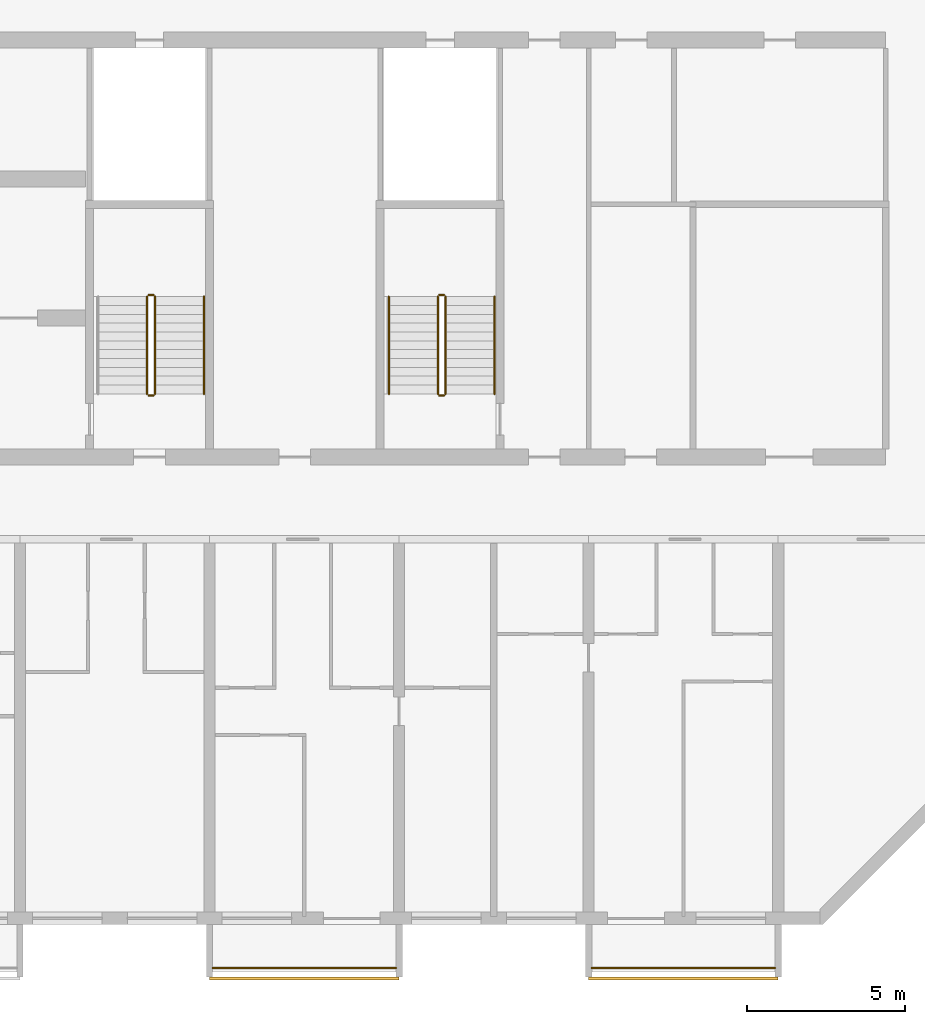
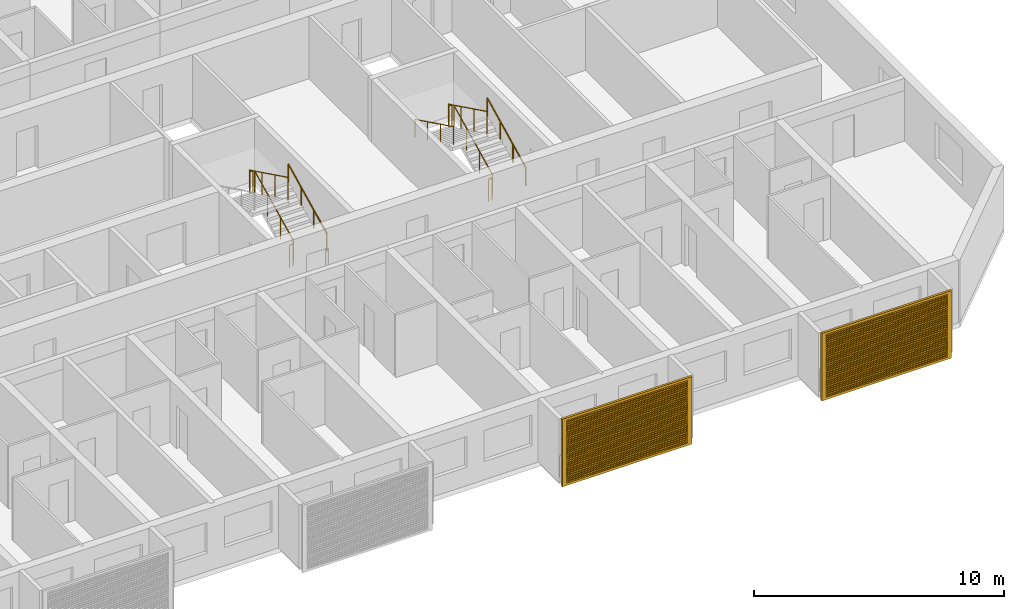
# One storey, part 24 of 26: 13 railings, 2 shading devices.
"""IFC4 building model written with IfcOpenShell, lengths in metres."""

from ifc_helpers import new_model, si_unit, direction, frame, origin, origin_2d, place, context, subcontext, project, spatial, polyline, circle, outline, extrude, source, transform, mapped, material, material_profile, profile_set, type_object, element, save


model = new_model("IFC4")

# Units and contexts
model_context = context("Model", 3, precision=1e-05, world=origin(), true_north=direction((0.0, 1.0)))
body_context = subcontext(model_context, "Body", "Model", "MODEL_VIEW")
ifc_project = project(units=[si_unit("LENGTHUNIT", "METRE"), si_unit("AREAUNIT", "SQUARE_METRE"), si_unit("VOLUMEUNIT", "CUBIC_METRE"), si_unit("PLANEANGLEUNIT", "RADIAN"), si_unit("MASSUNIT", "GRAM", prefix="KILO")], contexts=[model_context])

# Site, building, storey
site_placement = place(None, origin())
site = spatial("IfcSite", under=ifc_project, at=site_placement, CompositionType="ELEMENT")
building_placement = place(site_placement, origin())
building = spatial("IfcBuilding", under=site, at=building_placement, Name="Poui Terraces", CompositionType="ELEMENT")
storey_placement = place(building_placement, frame((0.0, 0.0, 79.5)))
storey = spatial("IfcBuildingStorey", under=building, at=storey_placement, Name="L21", CompositionType="ELEMENT", Elevation=79.5)

# Railings
ifc_material_1 = material(Name="Painted steel fretwork", Category="steel")
railing_type_1 = type_object("IfcRailingType", Name="BALCONY GUARD 1100", PredefinedType="GUARDRAIL", material=ifc_material_1)
for number, where, name in (
    (1, (72.10009765625, -1.570068359375, 0.0), "BALCONY GUARD"),
    (2, (84.10009765625, -1.570068359375, 0.0), "BALCONY GUARD"),
):
    element("IfcRailing", number, at=place(storey_placement, frame(where)), inside=storey, type_object=railing_type_1, Name=name, PredefinedType="GUARDRAIL", context=body_context, shape_type="SweptSolid", body=[
        extrude(circle(Radius=0.02392578125, at=origin_2d()), frame((0.0, 0.0, 1.076171875), z_axis=(1.0, 0.0, 0.0), x_axis=(0.0, 1.0, 0.0)), (0.0, 0.0, 1.0), 5.7998046875),
        extrude(circle(Radius=0.02099609375, at=origin_2d()), origin(), (0.0, 0.0, 1.0), 1.052001953125),
        extrude(circle(Radius=0.02099609375, at=origin_2d()), frame((0.966552734375, 0.0, 0.0)), (0.0, 0.0, 1.0), 1.052001953125),
        extrude(circle(Radius=0.02099609375, at=origin_2d()), frame((1.933349609375, 0.0, 0.0)), (0.0, 0.0, 1.0), 1.052001953125),
        extrude(circle(Radius=0.02099609375, at=origin_2d()), frame((2.89990234375, 0.0, 0.0)), (0.0, 0.0, 1.0), 1.052001953125),
        extrude(circle(Radius=0.02099609375, at=origin_2d()), frame((3.866455078125, 0.0, 0.0)), (0.0, 0.0, 1.0), 1.052001953125),
        extrude(circle(Radius=0.02099609375, at=origin_2d()), frame((4.833251953125, 0.0, 0.0)), (0.0, 0.0, 1.0), 1.052001953125),
        extrude(circle(Radius=0.02099609375, at=origin_2d()), frame((5.7998046875, 0.0, 0.0)), (0.0, 0.0, 1.0), 1.052001953125),
    ])
ifc_material_2 = material(Name="Galvanised steel balustrade", Category="steel")
railing_type_2 = type_object("IfcRailingType", Name="STAIR GUARD 1100", PredefinedType="GUARDRAIL", material=ifc_material_2)
railing_1_placement = place(storey_placement, frame((70.27490234375, 16.60009765625, 0.137451171875)))
element("IfcRailing", 3, at=railing_1_placement, inside=storey, type_object=railing_type_2, Name="L21 ST-CE stair guard 1", PredefinedType="GUARDRAIL", context=body_context, shape_type="SweptSolid", body=[
    extrude(circle(Radius=0.02392578125, at=origin_2d()), frame((0.0, 0.0, 1.076171875), z_axis=(0.0, 0.897606190399, 0.440798283751), x_axis=(-1.0, 0.0, 0.0)), (0.0, 0.0, 1.0), 3.43115234375),
    extrude(circle(Radius=0.02099609375, at=origin_2d()), origin(), (0.0, 0.0, 1.0), 1.052001953125),
    extrude(circle(Radius=0.02099609375, at=origin_2d()), frame((0.0, 1.026611328125, 0.504150390625)), (0.0, 0.0, 1.0), 1.052001953125),
    extrude(circle(Radius=0.02099609375, at=origin_2d()), frame((0.0, 2.05322265625, 1.00830078125)), (0.0, 0.0, 1.0), 1.052001953125),
    extrude(circle(Radius=0.02099609375, at=origin_2d()), frame((0.0, 3.079833984375, 1.512451171875)), (0.0, 0.0, 1.0), 1.052001953125),
])
railing_2_placement = place(storey_placement, frame((70.22509765625, 19.72998046875, 1.64990234375)))
element("IfcRailing", 4, at=railing_2_placement, inside=storey, type_object=railing_type_2, Name="L21 ST-CE stair guard 2", PredefinedType="GUARDRAIL", context=body_context, shape_type="SweptSolid", body=[
    extrude(circle(Radius=0.02392578125, at=origin_2d()), frame((0.0, 0.0, 1.076171875), z_axis=(-1.0, 0.0, 0.0), x_axis=(0.0, -1.0, 0.0)), (0.0, 0.0, 1.0), 0.150146484375),
    extrude(circle(Radius=0.02099609375, at=origin_2d()), origin(), (0.0, 0.0, 1.0), 1.052001953125),
    extrude(circle(Radius=0.02099609375, at=origin_2d()), frame((-0.150146484375, 0.0, 0.0)), (0.0, 0.0, 1.0), 1.052001953125),
])
railing_3_placement = place(storey_placement, frame((70.02490234375, 19.679931640625, 1.78759765625)))
element("IfcRailing", 5, at=railing_3_placement, inside=storey, type_object=railing_type_2, Name="L21 ST-CE stair guard 3", PredefinedType="GUARDRAIL", context=body_context, shape_type="SweptSolid", body=[
    extrude(circle(Radius=0.02392578125, at=origin_2d()), frame((0.0, 0.0, 1.076171875), z_axis=(0.0, -0.897606190399, 0.440798283751), x_axis=(1.0, 0.0, 0.0)), (0.0, 0.0, 1.0), 3.43115234375),
    extrude(circle(Radius=0.02099609375, at=origin_2d()), origin(), (0.0, 0.0, 1.0), 1.052001953125),
    extrude(circle(Radius=0.02099609375, at=origin_2d()), frame((0.0, -1.026611328125, 0.504150390625)), (0.0, 0.0, 1.0), 1.052001953125),
    extrude(circle(Radius=0.02099609375, at=origin_2d()), frame((0.0, -2.05322265625, 1.00830078125)), (0.0, 0.0, 1.0), 1.052001953125),
    extrude(circle(Radius=0.02099609375, at=origin_2d()), frame((0.0, -3.079833984375, 1.512451171875)), (0.0, 0.0, 1.0), 1.052001953125),
])
railing_4_placement = place(storey_placement, frame((70.22509765625, 16.550048828125, 0.0)))
element("IfcRailing", 6, at=railing_4_placement, inside=storey, type_object=railing_type_2, Name="L21 ST-CE stair guard 4", PredefinedType="GUARDRAIL", context=body_context, shape_type="SweptSolid", body=[
    extrude(circle(Radius=0.02392578125, at=origin_2d()), frame((0.0, 0.0, 1.076171875), z_axis=(-1.0, 0.0, 0.0), x_axis=(0.0, -1.0, 0.0)), (0.0, 0.0, 1.0), 0.150146484375),
    extrude(circle(Radius=0.02099609375, at=origin_2d()), origin(), (0.0, 0.0, 1.0), 1.052001953125),
    extrude(circle(Radius=0.02099609375, at=origin_2d()), frame((-0.150146484375, 0.0, 0.0)), (0.0, 0.0, 1.0), 1.052001953125),
])
railing_5_placement = place(storey_placement, frame((79.47509765625, 16.60009765625, 0.137451171875)))
element("IfcRailing", 7, at=railing_5_placement, inside=storey, type_object=railing_type_2, Name="L21 ST-E stair guard 1", PredefinedType="GUARDRAIL", context=body_context, shape_type="SweptSolid", body=[
    extrude(circle(Radius=0.02392578125, at=origin_2d()), frame((0.0, 0.0, 1.076171875), z_axis=(0.0, 0.897606190399, 0.440798283751), x_axis=(-1.0, 0.0, 0.0)), (0.0, 0.0, 1.0), 3.43115234375),
    extrude(circle(Radius=0.02099609375, at=origin_2d()), origin(), (0.0, 0.0, 1.0), 1.052001953125),
    extrude(circle(Radius=0.02099609375, at=origin_2d()), frame((0.0, 1.026611328125, 0.504150390625)), (0.0, 0.0, 1.0), 1.052001953125),
    extrude(circle(Radius=0.02099609375, at=origin_2d()), frame((0.0, 2.05322265625, 1.00830078125)), (0.0, 0.0, 1.0), 1.052001953125),
    extrude(circle(Radius=0.02099609375, at=origin_2d()), frame((0.0, 3.079833984375, 1.512451171875)), (0.0, 0.0, 1.0), 1.052001953125),
])
railing_6_placement = place(storey_placement, frame((79.425048828125, 19.72998046875, 1.64990234375)))
element("IfcRailing", 8, at=railing_6_placement, inside=storey, type_object=railing_type_2, Name="L21 ST-E stair guard 2", PredefinedType="GUARDRAIL", context=body_context, shape_type="SweptSolid", body=[
    extrude(circle(Radius=0.02392578125, at=origin_2d()), frame((0.0, 0.0, 1.076171875), z_axis=(-1.0, 0.0, 0.0), x_axis=(0.0, -1.0, 0.0)), (0.0, 0.0, 1.0), 0.150146484375),
    extrude(circle(Radius=0.02099609375, at=origin_2d()), origin(), (0.0, 0.0, 1.0), 1.052001953125),
    extrude(circle(Radius=0.02099609375, at=origin_2d()), frame((-0.150146484375, 0.0, 0.0)), (0.0, 0.0, 1.0), 1.052001953125),
])
railing_7_placement = place(storey_placement, frame((79.22509765625, 19.679931640625, 1.78759765625)))
element("IfcRailing", 9, at=railing_7_placement, inside=storey, type_object=railing_type_2, Name="L21 ST-E stair guard 3", PredefinedType="GUARDRAIL", context=body_context, shape_type="SweptSolid", body=[
    extrude(circle(Radius=0.02392578125, at=origin_2d()), frame((0.0, 0.0, 1.076171875), z_axis=(0.0, -0.897606190399, 0.440798283751), x_axis=(1.0, 0.0, 0.0)), (0.0, 0.0, 1.0), 3.43115234375),
    extrude(circle(Radius=0.02099609375, at=origin_2d()), origin(), (0.0, 0.0, 1.0), 1.052001953125),
    extrude(circle(Radius=0.02099609375, at=origin_2d()), frame((0.0, -1.026611328125, 0.504150390625)), (0.0, 0.0, 1.0), 1.052001953125),
    extrude(circle(Radius=0.02099609375, at=origin_2d()), frame((0.0, -2.05322265625, 1.00830078125)), (0.0, 0.0, 1.0), 1.052001953125),
    extrude(circle(Radius=0.02099609375, at=origin_2d()), frame((0.0, -3.079833984375, 1.512451171875)), (0.0, 0.0, 1.0), 1.052001953125),
])
railing_8_placement = place(storey_placement, frame((79.425048828125, 16.550048828125, 0.0)))
element("IfcRailing", 10, at=railing_8_placement, inside=storey, type_object=railing_type_2, Name="L21 ST-E stair guard 4", PredefinedType="GUARDRAIL", context=body_context, shape_type="SweptSolid", body=[
    extrude(circle(Radius=0.02392578125, at=origin_2d()), frame((0.0, 0.0, 1.076171875), z_axis=(-1.0, 0.0, 0.0), x_axis=(0.0, -1.0, 0.0)), (0.0, 0.0, 1.0), 0.150146484375),
    extrude(circle(Radius=0.02099609375, at=origin_2d()), origin(), (0.0, 0.0, 1.0), 1.052001953125),
    extrude(circle(Radius=0.02099609375, at=origin_2d()), frame((-0.150146484375, 0.0, 0.0)), (0.0, 0.0, 1.0), 1.052001953125),
])
ifc_material_3 = material(Name="Stainless steel handrail", Category="steel")
railing_type_3 = type_object("IfcRailingType", Name="STAIR HANDRAIL 900", PredefinedType="HANDRAIL", material=ifc_material_3)
for number, where, name in (
    (11, (71.824951171875, 16.60009765625, 0.137451171875), "L21 ST-CE stair handrail 1"),
    (12, (81.02490234375, 16.60009765625, 0.137451171875), "L21 ST-E stair handrail 1"),
):
    element("IfcRailing", number, at=place(storey_placement, frame(where)), inside=storey, type_object=railing_type_3, Name=name, PredefinedType="HANDRAIL", context=body_context, shape_type="SweptSolid", body=[
        extrude(circle(Radius=0.02392578125, at=origin_2d()), frame((0.0, 0.0, 0.8759765625), z_axis=(0.0, 0.897606190399, 0.440798283751), x_axis=(-1.0, 0.0, 0.0)), (0.0, 0.0, 1.0), 3.43115234375),
        extrude(circle(Radius=0.02099609375, at=origin_2d()), origin(), (0.0, 0.0, 1.0), 0.851806640625),
        extrude(circle(Radius=0.02099609375, at=origin_2d()), frame((0.0, 1.026611328125, 0.504150390625)), (0.0, 0.0, 1.0), 0.851806640625),
        extrude(circle(Radius=0.02099609375, at=origin_2d()), frame((0.0, 2.05322265625, 1.00830078125)), (0.0, 0.0, 1.0), 0.851806640625),
        extrude(circle(Radius=0.02099609375, at=origin_2d()), frame((0.0, 3.079833984375, 1.512451171875)), (0.0, 0.0, 1.0), 0.851806640625),
    ])
railing_9_placement = place(storey_placement, frame((77.675048828125, 19.679931640625, 1.78759765625)))
element("IfcRailing", 13, at=railing_9_placement, inside=storey, type_object=railing_type_3, Name="L21 ST-E stair handrail 2", PredefinedType="HANDRAIL", context=body_context, shape_type="SweptSolid", body=[
    extrude(circle(Radius=0.02392578125, at=origin_2d()), frame((0.0, 0.0, 0.8759765625), z_axis=(0.0, -0.897606190399, 0.440798283751), x_axis=(1.0, 0.0, 0.0)), (0.0, 0.0, 1.0), 3.43115234375),
    extrude(circle(Radius=0.02099609375, at=origin_2d()), origin(), (0.0, 0.0, 1.0), 0.851806640625),
    extrude(circle(Radius=0.02099609375, at=origin_2d()), frame((0.0, -1.026611328125, 0.504150390625)), (0.0, 0.0, 1.0), 0.851806640625),
    extrude(circle(Radius=0.02099609375, at=origin_2d()), frame((0.0, -2.05322265625, 1.00830078125)), (0.0, 0.0, 1.0), 0.851806640625),
    extrude(circle(Radius=0.02099609375, at=origin_2d()), frame((0.0, -3.079833984375, 1.512451171875)), (0.0, 0.0, 1.0), 0.851806640625),
])

# Shading devices
ifc_material_4 = material(Name="Aluminium louvre", Category="aluminium")
ifc_material_profile = material_profile(ifc_material_4, outline(polyline([(-3.0, -1.64990234375), (3.0, -1.64990234375), (3.0, 1.64990234375), (-3.0, 1.64990234375), (-3.0, -1.64990234375)]), holes=[polyline([(-2.800048828125, -1.530029296875), (2.800048828125, -1.530029296875), (2.800048828125, -1.469970703125), (-2.800048828125, -1.469970703125), (-2.800048828125, -1.530029296875)]), polyline([(-2.800048828125, -1.429931640625), (2.800048828125, -1.429931640625), (2.800048828125, -1.3701171875), (-2.800048828125, -1.3701171875), (-2.800048828125, -1.429931640625)]), polyline([(-2.800048828125, -1.330078125), (2.800048828125, -1.330078125), (2.800048828125, -1.27001953125), (-2.800048828125, -1.27001953125), (-2.800048828125, -1.330078125)]), polyline([(-2.800048828125, -1.22998046875), (2.800048828125, -1.22998046875), (2.800048828125, -1.169921875), (-2.800048828125, -1.169921875), (-2.800048828125, -1.22998046875)]), polyline([(-2.800048828125, -1.1298828125), (2.800048828125, -1.1298828125), (2.800048828125, -1.070068359375), (-2.800048828125, -1.070068359375), (-2.800048828125, -1.1298828125)]), polyline([(-2.800048828125, -1.030029296875), (2.800048828125, -1.030029296875), (2.800048828125, -0.969970703125), (-2.800048828125, -0.969970703125), (-2.800048828125, -1.030029296875)]), polyline([(-2.800048828125, -0.929931640625), (2.800048828125, -0.929931640625), (2.800048828125, -0.8701171875), (-2.800048828125, -0.8701171875), (-2.800048828125, -0.929931640625)]), polyline([(-2.800048828125, -0.830078125), (2.800048828125, -0.830078125), (2.800048828125, -0.77001953125), (-2.800048828125, -0.77001953125), (-2.800048828125, -0.830078125)]), polyline([(-2.800048828125, -0.72998046875), (2.800048828125, -0.72998046875), (2.800048828125, -0.669921875), (-2.800048828125, -0.669921875), (-2.800048828125, -0.72998046875)]), polyline([(-2.800048828125, -0.6298828125), (2.800048828125, -0.6298828125), (2.800048828125, -0.570068359375), (-2.800048828125, -0.570068359375), (-2.800048828125, -0.6298828125)]), polyline([(-2.800048828125, -0.530029296875), (2.800048828125, -0.530029296875), (2.800048828125, -0.469970703125), (-2.800048828125, -0.469970703125), (-2.800048828125, -0.530029296875)]), polyline([(-2.800048828125, -0.429931640625), (2.800048828125, -0.429931640625), (2.800048828125, -0.3701171875), (-2.800048828125, -0.3701171875), (-2.800048828125, -0.429931640625)]), polyline([(-2.800048828125, -0.330078125), (2.800048828125, -0.330078125), (2.800048828125, -0.27001953125), (-2.800048828125, -0.27001953125), (-2.800048828125, -0.330078125)]), polyline([(-2.800048828125, -0.22998046875), (2.800048828125, -0.22998046875), (2.800048828125, -0.169921875), (-2.800048828125, -0.169921875), (-2.800048828125, -0.22998046875)]), polyline([(-2.800048828125, -0.1298828125), (2.800048828125, -0.1298828125), (2.800048828125, -0.070068359375), (-2.800048828125, -0.070068359375), (-2.800048828125, -0.1298828125)]), polyline([(-2.800048828125, -0.030029296875), (2.800048828125, -0.030029296875), (2.800048828125, 0.030029296875), (-2.800048828125, 0.030029296875), (-2.800048828125, -0.030029296875)]), polyline([(-2.800048828125, 0.070068359375), (2.800048828125, 0.070068359375), (2.800048828125, 0.1298828125), (-2.800048828125, 0.1298828125), (-2.800048828125, 0.070068359375)]), polyline([(-2.800048828125, 0.169921875), (2.800048828125, 0.169921875), (2.800048828125, 0.22998046875), (-2.800048828125, 0.22998046875), (-2.800048828125, 0.169921875)]), polyline([(-2.800048828125, 0.27001953125), (2.800048828125, 0.27001953125), (2.800048828125, 0.330078125), (-2.800048828125, 0.330078125), (-2.800048828125, 0.27001953125)]), polyline([(-2.800048828125, 0.3701171875), (2.800048828125, 0.3701171875), (2.800048828125, 0.429931640625), (-2.800048828125, 0.429931640625), (-2.800048828125, 0.3701171875)]), polyline([(-2.800048828125, 0.469970703125), (2.800048828125, 0.469970703125), (2.800048828125, 0.530029296875), (-2.800048828125, 0.530029296875), (-2.800048828125, 0.469970703125)]), polyline([(-2.800048828125, 0.570068359375), (2.800048828125, 0.570068359375), (2.800048828125, 0.6298828125), (-2.800048828125, 0.6298828125), (-2.800048828125, 0.570068359375)]), polyline([(-2.800048828125, 0.669921875), (2.800048828125, 0.669921875), (2.800048828125, 0.72998046875), (-2.800048828125, 0.72998046875), (-2.800048828125, 0.669921875)]), polyline([(-2.800048828125, 0.77001953125), (2.800048828125, 0.77001953125), (2.800048828125, 0.830078125), (-2.800048828125, 0.830078125), (-2.800048828125, 0.77001953125)]), polyline([(-2.800048828125, 0.8701171875), (2.800048828125, 0.8701171875), (2.800048828125, 0.929931640625), (-2.800048828125, 0.929931640625), (-2.800048828125, 0.8701171875)]), polyline([(-2.800048828125, 0.969970703125), (2.800048828125, 0.969970703125), (2.800048828125, 1.030029296875), (-2.800048828125, 1.030029296875), (-2.800048828125, 0.969970703125)]), polyline([(-2.800048828125, 1.070068359375), (2.800048828125, 1.070068359375), (2.800048828125, 1.1298828125), (-2.800048828125, 1.1298828125), (-2.800048828125, 1.070068359375)]), polyline([(-2.800048828125, 1.169921875), (2.800048828125, 1.169921875), (2.800048828125, 1.22998046875), (-2.800048828125, 1.22998046875), (-2.800048828125, 1.169921875)]), polyline([(-2.800048828125, 1.27001953125), (2.800048828125, 1.27001953125), (2.800048828125, 1.330078125), (-2.800048828125, 1.330078125), (-2.800048828125, 1.27001953125)]), polyline([(-2.800048828125, 1.3701171875), (2.800048828125, 1.3701171875), (2.800048828125, 1.429931640625), (-2.800048828125, 1.429931640625), (-2.800048828125, 1.3701171875)]), polyline([(-2.800048828125, 1.469970703125), (2.800048828125, 1.469970703125), (2.800048828125, 1.530029296875), (-2.800048828125, 1.530029296875), (-2.800048828125, 1.469970703125)])]), Name="JALOUSIE LOUVRE SHUTTER 6000X3300")
ifc_profile_set = profile_set([ifc_material_profile], Name="Aluminium louvre")
shading_device_type = type_object("IfcShadingDeviceType", Name="JALOUSIE LOUVRE SHUTTER 6000X3300", PredefinedType="JALOUSIE", material=ifc_profile_set)
shared_shape = source(origin(), body_context, "Body", "SweptSolid", [
    extrude(outline(polyline([(-3.0, -1.64990234375), (3.0, -1.64990234375), (3.0, 1.64990234375), (-3.0, 1.64990234375), (-3.0, -1.64990234375)]), holes=[polyline([(-2.800048828125, -1.530029296875), (2.800048828125, -1.530029296875), (2.800048828125, -1.469970703125), (-2.800048828125, -1.469970703125), (-2.800048828125, -1.530029296875)]), polyline([(-2.800048828125, -1.429931640625), (2.800048828125, -1.429931640625), (2.800048828125, -1.3701171875), (-2.800048828125, -1.3701171875), (-2.800048828125, -1.429931640625)]), polyline([(-2.800048828125, -1.330078125), (2.800048828125, -1.330078125), (2.800048828125, -1.27001953125), (-2.800048828125, -1.27001953125), (-2.800048828125, -1.330078125)]), polyline([(-2.800048828125, -1.22998046875), (2.800048828125, -1.22998046875), (2.800048828125, -1.169921875), (-2.800048828125, -1.169921875), (-2.800048828125, -1.22998046875)]), polyline([(-2.800048828125, -1.1298828125), (2.800048828125, -1.1298828125), (2.800048828125, -1.070068359375), (-2.800048828125, -1.070068359375), (-2.800048828125, -1.1298828125)]), polyline([(-2.800048828125, -1.030029296875), (2.800048828125, -1.030029296875), (2.800048828125, -0.969970703125), (-2.800048828125, -0.969970703125), (-2.800048828125, -1.030029296875)]), polyline([(-2.800048828125, -0.929931640625), (2.800048828125, -0.929931640625), (2.800048828125, -0.8701171875), (-2.800048828125, -0.8701171875), (-2.800048828125, -0.929931640625)]), polyline([(-2.800048828125, -0.830078125), (2.800048828125, -0.830078125), (2.800048828125, -0.77001953125), (-2.800048828125, -0.77001953125), (-2.800048828125, -0.830078125)]), polyline([(-2.800048828125, -0.72998046875), (2.800048828125, -0.72998046875), (2.800048828125, -0.669921875), (-2.800048828125, -0.669921875), (-2.800048828125, -0.72998046875)]), polyline([(-2.800048828125, -0.6298828125), (2.800048828125, -0.6298828125), (2.800048828125, -0.570068359375), (-2.800048828125, -0.570068359375), (-2.800048828125, -0.6298828125)]), polyline([(-2.800048828125, -0.530029296875), (2.800048828125, -0.530029296875), (2.800048828125, -0.469970703125), (-2.800048828125, -0.469970703125), (-2.800048828125, -0.530029296875)]), polyline([(-2.800048828125, -0.429931640625), (2.800048828125, -0.429931640625), (2.800048828125, -0.3701171875), (-2.800048828125, -0.3701171875), (-2.800048828125, -0.429931640625)]), polyline([(-2.800048828125, -0.330078125), (2.800048828125, -0.330078125), (2.800048828125, -0.27001953125), (-2.800048828125, -0.27001953125), (-2.800048828125, -0.330078125)]), polyline([(-2.800048828125, -0.22998046875), (2.800048828125, -0.22998046875), (2.800048828125, -0.169921875), (-2.800048828125, -0.169921875), (-2.800048828125, -0.22998046875)]), polyline([(-2.800048828125, -0.1298828125), (2.800048828125, -0.1298828125), (2.800048828125, -0.070068359375), (-2.800048828125, -0.070068359375), (-2.800048828125, -0.1298828125)]), polyline([(-2.800048828125, -0.030029296875), (2.800048828125, -0.030029296875), (2.800048828125, 0.030029296875), (-2.800048828125, 0.030029296875), (-2.800048828125, -0.030029296875)]), polyline([(-2.800048828125, 0.070068359375), (2.800048828125, 0.070068359375), (2.800048828125, 0.1298828125), (-2.800048828125, 0.1298828125), (-2.800048828125, 0.070068359375)]), polyline([(-2.800048828125, 0.169921875), (2.800048828125, 0.169921875), (2.800048828125, 0.22998046875), (-2.800048828125, 0.22998046875), (-2.800048828125, 0.169921875)]), polyline([(-2.800048828125, 0.27001953125), (2.800048828125, 0.27001953125), (2.800048828125, 0.330078125), (-2.800048828125, 0.330078125), (-2.800048828125, 0.27001953125)]), polyline([(-2.800048828125, 0.3701171875), (2.800048828125, 0.3701171875), (2.800048828125, 0.429931640625), (-2.800048828125, 0.429931640625), (-2.800048828125, 0.3701171875)]), polyline([(-2.800048828125, 0.469970703125), (2.800048828125, 0.469970703125), (2.800048828125, 0.530029296875), (-2.800048828125, 0.530029296875), (-2.800048828125, 0.469970703125)]), polyline([(-2.800048828125, 0.570068359375), (2.800048828125, 0.570068359375), (2.800048828125, 0.6298828125), (-2.800048828125, 0.6298828125), (-2.800048828125, 0.570068359375)]), polyline([(-2.800048828125, 0.669921875), (2.800048828125, 0.669921875), (2.800048828125, 0.72998046875), (-2.800048828125, 0.72998046875), (-2.800048828125, 0.669921875)]), polyline([(-2.800048828125, 0.77001953125), (2.800048828125, 0.77001953125), (2.800048828125, 0.830078125), (-2.800048828125, 0.830078125), (-2.800048828125, 0.77001953125)]), polyline([(-2.800048828125, 0.8701171875), (2.800048828125, 0.8701171875), (2.800048828125, 0.929931640625), (-2.800048828125, 0.929931640625), (-2.800048828125, 0.8701171875)]), polyline([(-2.800048828125, 0.969970703125), (2.800048828125, 0.969970703125), (2.800048828125, 1.030029296875), (-2.800048828125, 1.030029296875), (-2.800048828125, 0.969970703125)]), polyline([(-2.800048828125, 1.070068359375), (2.800048828125, 1.070068359375), (2.800048828125, 1.1298828125), (-2.800048828125, 1.1298828125), (-2.800048828125, 1.070068359375)]), polyline([(-2.800048828125, 1.169921875), (2.800048828125, 1.169921875), (2.800048828125, 1.22998046875), (-2.800048828125, 1.22998046875), (-2.800048828125, 1.169921875)]), polyline([(-2.800048828125, 1.27001953125), (2.800048828125, 1.27001953125), (2.800048828125, 1.330078125), (-2.800048828125, 1.330078125), (-2.800048828125, 1.27001953125)]), polyline([(-2.800048828125, 1.3701171875), (2.800048828125, 1.3701171875), (2.800048828125, 1.429931640625), (-2.800048828125, 1.429931640625), (-2.800048828125, 1.3701171875)]), polyline([(-2.800048828125, 1.469970703125), (2.800048828125, 1.469970703125), (2.800048828125, 1.530029296875), (-2.800048828125, 1.530029296875), (-2.800048828125, 1.469970703125)])]), origin(), (0.0, 0.0, 1.0), 0.099853515625),
])
for number, where, z_axis, x_axis, name in (
    (14, (75.0, -1.85009765625, 1.449951171875), (0.0, -1.0, 0.0), (1.0, 0.0, 0.0), "JALOUSIE LOUVRE SHUTTER"),
    (15, (87.0, -1.85009765625, 1.449951171875), (0.0, -1.0, 0.0), (1.0, 0.0, 0.0), "JALOUSIE LOUVRE SHUTTER"),
):
    element("IfcShadingDevice", number, at=place(storey_placement, frame(where, z_axis=z_axis, x_axis=x_axis)), inside=storey, type_object=shading_device_type, Name=name, PredefinedType="JALOUSIE", context=body_context, shape_type="MappedRepresentation", body=[
        mapped(shared_shape, transform((0.0, 0.0, 0.0))),
    ])

save(model, "model.ifc")
